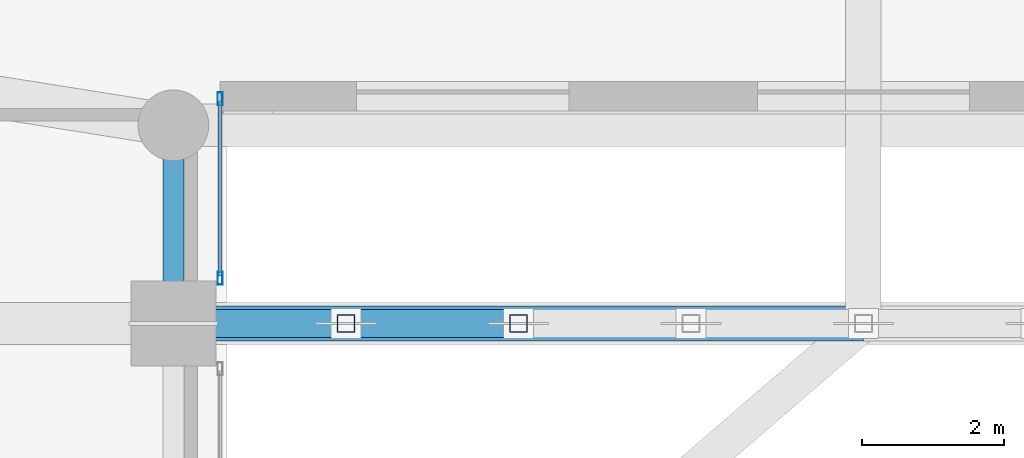
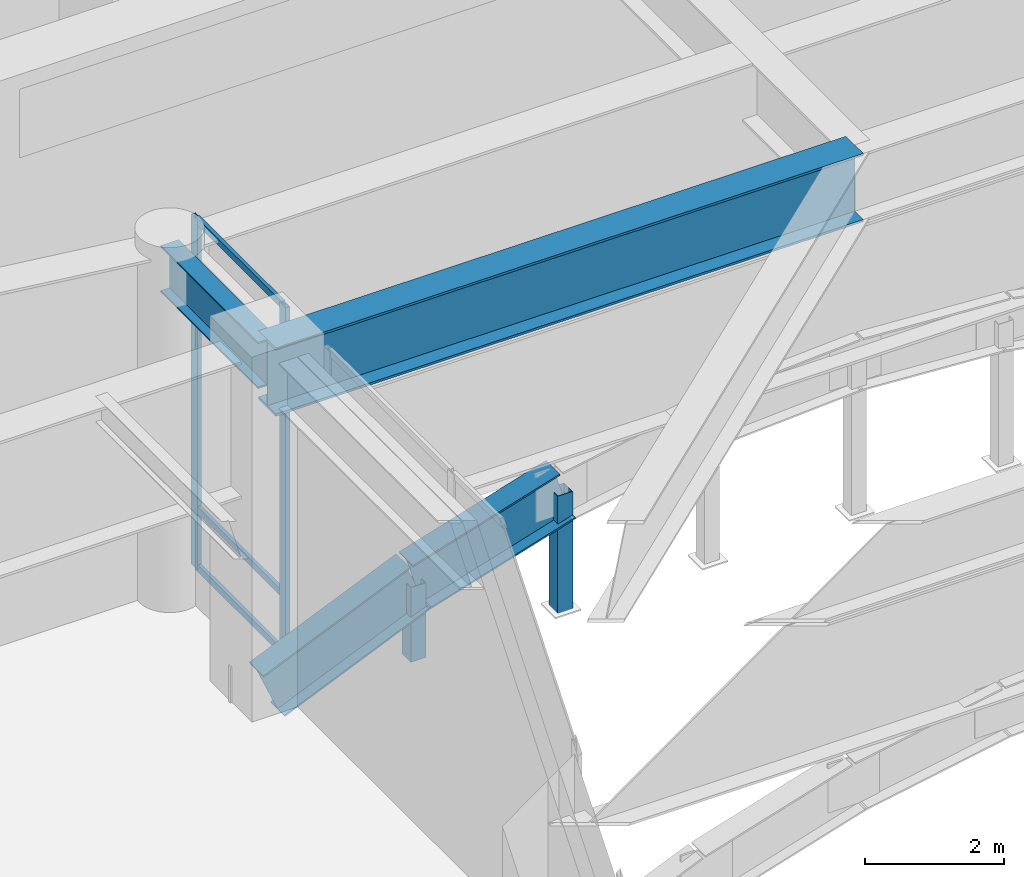
# One storey, part 16 of 50: 7 members, 4 beams, 1 element without a shape of its own.
"""IFC4 building model written with IfcOpenShell, lengths in metres."""

from ifc_helpers import new_model, si_unit, direction, frame, origin, origin_2d, place, context, subcontext, project, spatial, hollow_rectangle, i_section, extrude, source, transform, mapped, material, layer, layer_set, material_profile, profile_set, type_object, type_shapes, element, aggregate, save


model = new_model("IFC4")

# Units and contexts
model_context = context("Model", 3, precision=1e-05, world=origin(), true_north=direction((0.0, 1.0)))
body_context = subcontext(model_context, "Body", "Model", "MODEL_VIEW")
ifc_project = project(units=[si_unit("LENGTHUNIT", "METRE"), si_unit("AREAUNIT", "SQUARE_METRE"), si_unit("VOLUMEUNIT", "CUBIC_METRE"), si_unit("PLANEANGLEUNIT", "RADIAN"), si_unit("MASSUNIT", "GRAM", prefix="KILO")], contexts=[model_context])

# Site, building, storey
site_placement = place(None, origin())
site = spatial("IfcSite", under=ifc_project, at=site_placement, CompositionType="ELEMENT")
building_placement = place(site_placement, origin())
building = spatial("IfcBuilding", under=site, at=building_placement, Name="Tolvann Quenvar Hotel", CompositionType="ELEMENT")
storey_placement = place(building_placement, frame((0.0, 0.0, 16.0)))
storey = spatial("IfcBuildingStorey", under=building, at=storey_placement, Name="L03", CompositionType="ELEMENT", Elevation=16.0)

# Beams
ifc_material_1 = material(Name="Steel Grade 350", Category="steel")
ifc_material_profile_1 = material_profile(ifc_material_1, i_section(OverallWidth=0.300048828125, OverallDepth=0.81591796875, WebThickness=0.010009765625, FlangeThickness=0.028076171875, at=origin_2d()), Name="800WB192")
ifc_profile_set_1 = profile_set([ifc_material_profile_1], Name="Steel Grade 350")
beam_type_1 = type_object("IfcBeamType", Name="BM_GIRD_800WB192", PredefinedType="BEAM", material=ifc_profile_set_1)
shared_shape_1 = source(origin(), body_context, "Body", "SweptSolid", [
    extrude(i_section(OverallWidth=0.300048828125, OverallDepth=0.81591796875, WebThickness=0.010009765625, FlangeThickness=0.028076171875, at=origin_2d()), origin(), (0.0, 0.0, 1.0), 2.800048828125),
])
type_shapes(beam_type_1, [shared_shape_1])
beam_1_placement = place(storey_placement, frame((18.75, 24.39990234375, 5.73193359375), z_axis=(0.0, 1.0, 0.0), x_axis=(-1.0, 0.0, 0.0)))
element("IfcBeam", 1, at=beam_1_placement, inside=storey, type_object=beam_type_1, Name="BM-L03-NS-APW-3", PredefinedType="BEAM", context=body_context, shape_type="MappedRepresentation", body=[
    mapped(shared_shape_1, transform((0.0, 0.0, 0.0), x_axis=(1.0, 0.0, 0.0), y_axis=(0.0, 1.0, 0.0), z_axis=(0.0, 0.0, 1.0), scale=1.0)),
])
ifc_material_profile_2 = material_profile(ifc_material_1, i_section(OverallWidth=0.5, OverallDepth=1.199951171875, WebThickness=0.01611328125, FlangeThickness=0.0400390625, at=origin_2d()), Name="1200WB455")
ifc_profile_set_2 = profile_set([ifc_material_profile_2], Name="Steel Grade 350")
beam_type_2 = type_object("IfcBeamType", Name="BM_TG_1200WB455", PredefinedType="USERDEFINED", material=ifc_profile_set_2)
shared_shape_2 = source(origin(), body_context, "Body", "SweptSolid", [
    extrude(i_section(OverallWidth=0.5, OverallDepth=1.199951171875, WebThickness=0.01611328125, FlangeThickness=0.0400390625, at=origin_2d()), origin(), (0.0, 0.0, 1.0), 9.75),
])
type_shapes(beam_type_2, [shared_shape_2])
beam_2_placement = place(storey_placement, frame((18.75, 24.39990234375, 5.5400390625), z_axis=(1.0, 0.0, 0.0), x_axis=(0.0, 1.0, 0.0)))
element("IfcBeam", 2, at=beam_2_placement, inside=storey, type_object=beam_type_2, Name="BM-L03-ATIE-4A", ObjectType="TRANSFER GIRDER", PredefinedType="USERDEFINED", context=body_context, shape_type="MappedRepresentation", body=[
    mapped(shared_shape_2, transform((0.0, 0.0, 0.0), x_axis=(1.0, 0.0, 0.0), y_axis=(0.0, 1.0, 0.0), z_axis=(0.0, 0.0, 1.0), scale=1.0)),
])
ifc_material_profile_3 = material_profile(ifc_material_1, i_section(OverallWidth=0.39990234375, OverallDepth=0.916015625, WebThickness=0.011962890625, FlangeThickness=0.028076171875, at=origin_2d()), Name="900WB257")
ifc_profile_set_3 = profile_set([ifc_material_profile_3], Name="Steel Grade 350")
beam_type_3 = type_object("IfcBeamType", Name="BM_ARCH_900WB257", PredefinedType="USERDEFINED", material=ifc_profile_set_3)
shared_shape_3 = source(origin(), body_context, "Body", "SweptSolid", [
    extrude(i_section(OverallWidth=0.39990234375, OverallDepth=0.916015625, WebThickness=0.011962890625, FlangeThickness=0.028076171875, at=origin_2d()), origin(), (0.0, 0.0, 1.0), 2.654052734375),
])
beam_3_placement = place(storey_placement, frame((18.75, 24.39990234375, 0.0), z_axis=(0.918405931002, 0.0, 0.395639413987), x_axis=(0.0, 1.0, 0.0)))
element("IfcBeam", 3, at=beam_3_placement, inside=storey, type_object=beam_type_3, Name="Podium Parabolic Arch Rib F4-S1", ObjectType="ARCH RIB", PredefinedType="USERDEFINED", context=body_context, shape_type="MappedRepresentation", body=[
    mapped(shared_shape_3, transform((0.0, 0.0, 0.0), x_axis=(1.0, 0.0, 0.0), y_axis=(0.0, 1.0, 0.0), z_axis=(0.0, 0.0, 1.0), scale=1.0)),
])
shared_shape_4 = source(origin(), body_context, "Body", "SweptSolid", [
    extrude(i_section(OverallWidth=0.39990234375, OverallDepth=0.916015625, WebThickness=0.011962890625, FlangeThickness=0.028076171875, at=origin_2d()), origin(), (0.0, 0.0, 1.0), 2.55029296875),
])
type_shapes(beam_type_3, [shared_shape_3, shared_shape_4])
beam_4_placement = place(storey_placement, frame((21.1875, 24.39990234375, 1.050048828125), z_axis=(0.955779008722, 0.0, 0.294085848838), x_axis=(0.0, 1.0, 0.0)))
element("IfcBeam", 4, at=beam_4_placement, inside=storey, type_object=beam_type_3, Name="Podium Parabolic Arch Rib F4-S2", ObjectType="ARCH RIB", PredefinedType="USERDEFINED", context=body_context, shape_type="MappedRepresentation", body=[
    mapped(shared_shape_4, transform((0.0, 0.0, 0.0), x_axis=(1.0, 0.0, 0.0), y_axis=(0.0, 1.0, 0.0), z_axis=(0.0, 0.0, 1.0), scale=1.0)),
])

# Members
ifc_material_2 = material(Name="Steel Grade 450 (C450L0)", Category="steel")
ifc_material_profile_4 = material_profile(ifc_material_2, hollow_rectangle(XDim=0.25, YDim=0.25, WallThickness=0.010009765625, at=origin_2d()), Name="250x250x10SHS")
ifc_profile_set_4 = profile_set([ifc_material_profile_4], Name="Steel Grade 450 (C450L0)")
member_type_1 = type_object("IfcMemberType", Name="MEM_POST_250SHS", PredefinedType="POST", material=ifc_profile_set_4)
shared_shape_5 = source(origin(), body_context, "Body", "SweptSolid", [
    extrude(hollow_rectangle(XDim=0.25, YDim=0.25, WallThickness=0.010009765625, at=origin_2d()), origin(), (0.0, 0.0, 1.0), 1.31005859375),
])
member_1_placement = place(storey_placement, frame((21.1875, 24.39990234375, -0.260009765625), z_axis=(0.0, 0.0, 1.0), x_axis=(1.0, 0.0, 0.0)))
element("IfcMember", 5, at=member_1_placement, inside=storey, type_object=member_type_1, Name="Arch Spandrel Pedestal Post F4-B1", PredefinedType="POST", context=body_context, shape_type="MappedRepresentation", body=[
    mapped(shared_shape_5, transform((0.0, 0.0, 0.0), x_axis=(1.0, 0.0, 0.0), y_axis=(0.0, 1.0, 0.0), z_axis=(0.0, 0.0, 1.0), scale=1.0)),
])
shared_shape_6 = source(origin(), body_context, "Body", "SweptSolid", [
    extrude(hollow_rectangle(XDim=0.25, YDim=0.25, WallThickness=0.010009765625, at=origin_2d()), origin(), (0.0, 0.0, 1.0), 2.06005859375),
])
type_shapes(member_type_1, [shared_shape_5, shared_shape_6])
member_2_placement = place(storey_placement, frame((23.625, 24.39990234375, -0.260009765625), z_axis=(0.0, 0.0, 1.0), x_axis=(1.0, 0.0, 0.0)))
element("IfcMember", 6, at=member_2_placement, inside=storey, type_object=member_type_1, Name="Arch Spandrel Pedestal Post F4-B2", PredefinedType="POST", context=body_context, shape_type="MappedRepresentation", body=[
    mapped(shared_shape_6, transform((0.0, 0.0, 0.0), x_axis=(1.0, 0.0, 0.0), y_axis=(0.0, 1.0, 0.0), z_axis=(0.0, 0.0, 1.0), scale=1.0)),
])

# Curtain wall, members
ifc_material_3 = material(Name="Thermally broken anodised architectural aluminium 6063-T6 and laminated low-E glass", Category="aluminium")
ifc_layer = layer(ifc_material_3, 0.179931640625)
ifc_layer_set = layer_set([ifc_layer], Name="Thermally broken anodised architectural aluminium 6063-T6 and laminated low-E glass")
curtain_wall_type = type_object("IfcCurtainWallType", Name="CW_SYS_ARCH_01", PredefinedType="USERDEFINED", material=ifc_layer_set)
curtain_wall_placement = place(storey_placement, origin())
curtain_wall = element("IfcCurtainWall", 7, at=curtain_wall_placement, inside=storey, type_object=curtain_wall_type, Name="Curtain Wall CW-ARCH-01 (CWR-L03-E01-S4)", ObjectType="UNITISED CURTAIN WALL", PredefinedType="USERDEFINED")
ifc_material_4 = material(Name="Anodised architectural aluminium 6063-T6 framing", Category="aluminium")
ifc_material_profile_5 = material_profile(ifc_material_4, hollow_rectangle(XDim=0.070068359375, YDim=0.179931640625, WallThickness=0.00390625, at=origin_2d()), Name="180x70x4RHS")
ifc_profile_set_5 = profile_set([ifc_material_profile_5], Name="Anodised architectural aluminium 6063-T6 framing")
member_type_2 = type_object("IfcMemberType", Name="CW_MULL_180x70", PredefinedType="MULLION", material=ifc_profile_set_5)
shared_shape_7 = source(origin(), body_context, "Body", "SweptSolid", [
    extrude(hollow_rectangle(XDim=0.070068359375, YDim=0.179931640625, WallThickness=0.00390625, at=origin_2d()), origin(), (0.0, 0.0, 1.0), 6.139892578125),
])
type_shapes(member_type_2, [shared_shape_7])
member_3_placement = place(storey_placement, frame((19.409912109375, 25.0390625, 0.0), z_axis=(0.0, 0.0, 1.0), x_axis=(-1.0, 0.0, 0.0)))
member_3 = element("IfcMember", 8, at=member_3_placement, type_object=member_type_2, Name="CW-ARCH-01 mullion 1", PredefinedType="MULLION", context=body_context, shape_type="MappedRepresentation", body=[
    mapped(shared_shape_7, transform((0.0, 0.0, 0.0), x_axis=(1.0, 0.0, 0.0), y_axis=(0.0, 1.0, 0.0), z_axis=(0.0, 0.0, 1.0), scale=1.0)),
])
member_4_placement = place(storey_placement, frame((19.409912109375, 27.574951171875, 0.0), z_axis=(0.0, 0.0, 1.0), x_axis=(-1.0, 0.0, 0.0)))
member_4 = element("IfcMember", 9, at=member_4_placement, type_object=member_type_2, Name="CW-ARCH-01 mullion 2", PredefinedType="MULLION", context=body_context, shape_type="MappedRepresentation", body=[
    mapped(shared_shape_7, transform((0.0, 0.0, 0.0), x_axis=(1.0, 0.0, 0.0), y_axis=(0.0, 1.0, 0.0), z_axis=(0.0, 0.0, 1.0), scale=1.0)),
])
ifc_material_profile_6 = material_profile(ifc_material_4, hollow_rectangle(XDim=0.06005859375, YDim=0.1201171875, WallThickness=0.00341796875, at=origin_2d()), Name="120x60x3.5RHS")
ifc_profile_set_6 = profile_set([ifc_material_profile_6], Name="Anodised architectural aluminium 6063-T6 framing")
member_type_3 = type_object("IfcMemberType", Name="CW_TRAN_120x60", PredefinedType="USERDEFINED", material=ifc_profile_set_6)
shared_shape_8 = source(origin(), body_context, "Body", "SweptSolid", [
    extrude(hollow_rectangle(XDim=0.06005859375, YDim=0.1201171875, WallThickness=0.00341796875, at=origin_2d()), origin(), (0.0, 0.0, 1.0), 2.466064453125),
])
type_shapes(member_type_3, [shared_shape_8])
member_5_placement = place(storey_placement, frame((19.409912109375, 25.073974609375, 0.030029296875), z_axis=(0.0, 1.0, 0.0), x_axis=(-1.0, 0.0, 0.0)))
member_5 = element("IfcMember", 10, at=member_5_placement, type_object=member_type_3, Name="CW-ARCH-01 transom 1.1", ObjectType="TRANSOM", PredefinedType="USERDEFINED", context=body_context, shape_type="MappedRepresentation", body=[
    mapped(shared_shape_8, transform((0.0, 0.0, 0.0), x_axis=(1.0, 0.0, 0.0), y_axis=(0.0, 1.0, 0.0), z_axis=(0.0, 0.0, 1.0), scale=1.0)),
])
member_6_placement = place(storey_placement, frame((19.409912109375, 25.073974609375, 1.050048828125), z_axis=(0.0, 1.0, 0.0), x_axis=(-1.0, 0.0, 0.0)))
member_6 = element("IfcMember", 11, at=member_6_placement, type_object=member_type_3, Name="CW-ARCH-01 transom 1.2", ObjectType="TRANSOM", PredefinedType="USERDEFINED", context=body_context, shape_type="MappedRepresentation", body=[
    mapped(shared_shape_8, transform((0.0, 0.0, 0.0), x_axis=(1.0, 0.0, 0.0), y_axis=(0.0, 1.0, 0.0), z_axis=(0.0, 0.0, 1.0), scale=1.0)),
])
member_7_placement = place(storey_placement, frame((19.409912109375, 25.073974609375, 6.110107421875), z_axis=(0.0, 1.0, 0.0), x_axis=(-1.0, 0.0, 0.0)))
member_7 = element("IfcMember", 12, at=member_7_placement, type_object=member_type_3, Name="CW-ARCH-01 transom 1.3", ObjectType="TRANSOM", PredefinedType="USERDEFINED", context=body_context, shape_type="MappedRepresentation", body=[
    mapped(shared_shape_8, transform((0.0, 0.0, 0.0), x_axis=(1.0, 0.0, 0.0), y_axis=(0.0, 1.0, 0.0), z_axis=(0.0, 0.0, 1.0), scale=1.0)),
])
aggregate(curtain_wall, [member_3, member_4, member_5, member_6, member_7])

save(model, "model.ifc")
